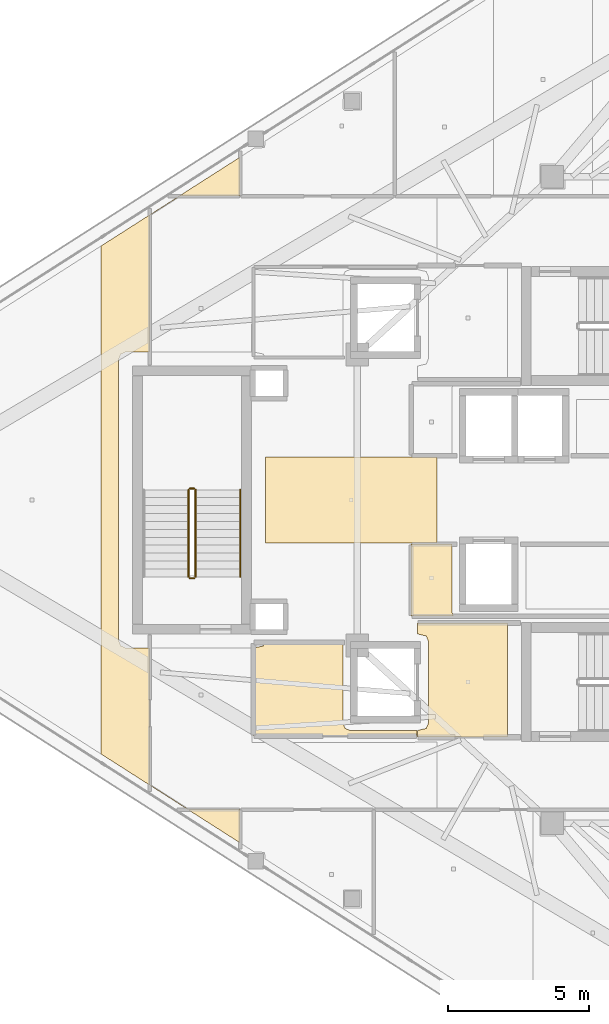
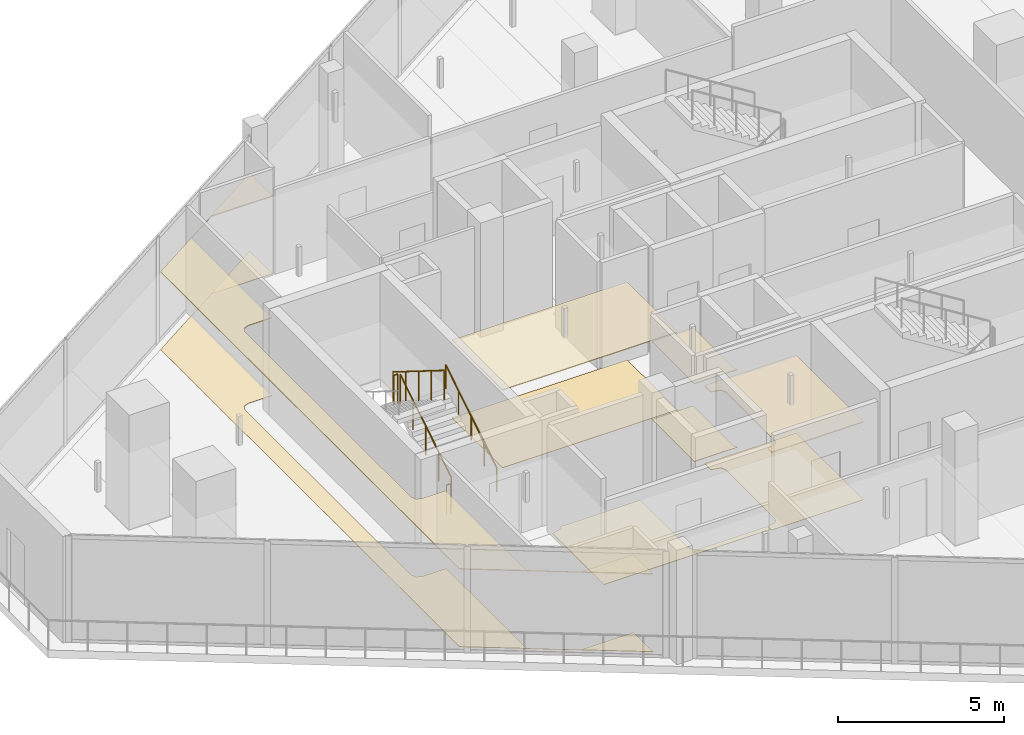
# One storey, part 22 of 25: 9 coverings, 5 railings.
"""IFC4 building model written with IfcOpenShell, lengths in metres."""

import ifcopenshell
import ifcopenshell.guid

model = None  # the IFC model being written
_history = None  # IfcOwnerHistory: only IFC2X3 demands one
_inside = {}  # id of a spatial element -> (the spatial element, [elements in it])
_under = {}  # id of a project, library or spatial element -> (it, [spatial elements below it])
_declared = {}  # id of a project -> (the project, [libraries it declares])
_typed = {}  # id of a type object -> (the type object, [elements of that type])
_made_of = {}  # id of a material, layer set ... -> (it, [elements and type objects made of it])


def new_model(schema):
    """Start an empty IFC model of exactly this schema.

    Asked for "IFC4X3", IfcOpenShell would pick the latest addendum, in which some entities
    have other attributes; the version numbers below select the first issue.
    IFC2X3 requires an IfcOwnerHistory on every rooted entity: one is made here for all.
    """
    global model, _history
    if schema == "IFC4X3":
        model = ifcopenshell.file(schema_version=(4, 3, 0, 0))
    else:
        model = ifcopenshell.file(schema=schema)
    _inside.clear()
    _under.clear()
    _declared.clear()
    _typed.clear()
    _made_of.clear()
    _history = None
    if model.schema == "IFC2X3":
        org = make("IfcOrganization", Name="unknown")
        user = make(
            "IfcPersonAndOrganization",
            ThePerson=make("IfcPerson", FamilyName="unknown"),
            TheOrganization=org,
        )
        app = make(
            "IfcApplication",
            ApplicationDeveloper=org,
            Version="unknown",
            ApplicationFullName="unknown",
            ApplicationIdentifier="unknown",
        )
        _history = make(
            "IfcOwnerHistory",
            OwningUser=user,
            OwningApplication=app,
            ChangeAction="ADDED",
            CreationDate=0,
        )
    return model


def make(cls, **values):
    """One entity of the class cls with the attributes given. An attribute that is None is left unset."""
    return model.create_entity(
        cls, **{name: value for name, value in values.items() if value is not None}
    )


def rooted(cls, **values):
    """An entity with a GlobalId (a new one), such as an element, a storey or a relation."""
    return make(cls, GlobalId=ifcopenshell.guid.new(), OwnerHistory=_history, **values)


def si_unit(unit_type, name, prefix=None):
    """IfcSIUnit, for example si_unit("LENGTHUNIT", "METRE", prefix="MILLI")."""
    return make("IfcSIUnit", UnitType=unit_type, Prefix=prefix, Name=name)


def assignment(units):
    """IfcUnitAssignment: the units of a project."""
    return None if units is None else make("IfcUnitAssignment", Units=units)


def point(xyz):
    """IfcCartesianPoint."""
    return None if xyz is None else make("IfcCartesianPoint", Coordinates=xyz)


def direction(xyz):
    """IfcDirection."""
    return None if xyz is None else make("IfcDirection", DirectionRatios=xyz)


def frame(location, z_axis=None, x_axis=None):
    """IfcAxis2Placement3D, a coordinate frame: its origin and axes. An axis left out is left unset."""
    return make(
        "IfcAxis2Placement3D",
        Location=point(location),
        Axis=direction(z_axis),
        RefDirection=direction(x_axis),
    )


def frame_2d(location, x_axis=None):
    """IfcAxis2Placement2D, a coordinate frame in the plane: its origin and x axis."""
    return make(
        "IfcAxis2Placement2D", Location=point(location), RefDirection=direction(x_axis)
    )


def origin():
    """The frame at (0, 0, 0) with its axes left unset."""
    return frame((0.0, 0.0, 0.0))


def origin_2d():
    """The frame at (0, 0) in the plane with its x axis left unset."""
    return frame_2d((0.0, 0.0))


def place(relative_to, where):
    """IfcLocalPlacement: puts the frame where relative to a parent placement (None: the world)."""
    return make(
        "IfcLocalPlacement", PlacementRelTo=relative_to, RelativePlacement=where
    )


def context(
    kind, dimensions, precision=None, world=None, true_north=None, identifier=None
):
    """IfcGeometricRepresentationContext, for example the 3D "Model" context."""
    return make(
        "IfcGeometricRepresentationContext",
        ContextIdentifier=identifier,
        ContextType=kind,
        CoordinateSpaceDimension=dimensions,
        Precision=precision,
        WorldCoordinateSystem=world,
        TrueNorth=true_north,
    )


def subcontext(parent, identifier, kind, view, scale=None):
    """IfcGeometricRepresentationSubContext, for example "Body" below "Model"."""
    return make(
        "IfcGeometricRepresentationSubContext",
        ContextIdentifier=identifier,
        ContextType=kind,
        ParentContext=parent,
        TargetScale=scale,
        TargetView=view,
    )


def project(units=None, contexts=None):
    """IfcProject with its units and contexts."""
    return rooted(
        "IfcProject",
        Name="project",
        RepresentationContexts=contexts,
        UnitsInContext=assignment(units),
    )


def spatial(cls, under=None, at=None, **own):
    """A site, building, storey or space (cls), placed at a placement, below another one or the project."""
    s = rooted(cls, ObjectPlacement=at, **own)
    if under is not None:
        _under.setdefault(under.id(), (under, []))[1].append(s)
    return s


def polyline(points):
    """IfcPolyline through the points."""
    return make("IfcPolyline", Points=[point(p) for p in points])


def profile(cls, at=None, kind="AREA", **sizes):
    """A parametric profile (cls). Its sizes go by their IFC names, for example OverallWidth=200.0."""
    return make(cls, ProfileType=kind, Position=at, **sizes)


def circle(**sizes):
    """IfcCircleProfileDef."""
    return profile("IfcCircleProfileDef", **sizes)


def outline(outer, holes=None, kind="AREA"):
    """IfcArbitraryClosedProfileDef: a profile drawn as a closed curve; with holes, ...WithVoids."""
    if holes is None:
        return make("IfcArbitraryClosedProfileDef", ProfileType=kind, OuterCurve=outer)
    return make(
        "IfcArbitraryProfileDefWithVoids",
        ProfileType=kind,
        OuterCurve=outer,
        InnerCurves=holes,
    )


def extrude(swept, where, along, depth):
    """IfcExtrudedAreaSolid: the profile swept, set in the frame where, extruded along a direction by depth."""
    return make(
        "IfcExtrudedAreaSolid",
        SweptArea=swept,
        Position=where,
        ExtrudedDirection=direction(along),
        Depth=depth,
    )


def shape(context_of_items, identifier, shape_type, items):
    """IfcShapeRepresentation: the items that make up one representation, for example the "Body"."""
    return make(
        "IfcShapeRepresentation",
        ContextOfItems=context_of_items,
        RepresentationIdentifier=identifier,
        RepresentationType=shape_type,
        Items=items,
    )


def material(Name=None, Category=None):
    """IfcMaterial."""
    return make("IfcMaterial", Name=Name, Category=Category)


def layer(
    of_material, thickness, ventilated=None, Name=None, Category=None, Priority=None
):
    """IfcMaterialLayer: one layer of a wall or slab, of a material (None: an air gap)."""
    return make(
        "IfcMaterialLayer",
        Material=of_material,
        LayerThickness=thickness,
        IsVentilated=ventilated,
        Name=Name,
        Category=Category,
        Priority=Priority,
    )


def layer_set(layers, Name=None):
    """IfcMaterialLayerSet."""
    return make("IfcMaterialLayerSet", MaterialLayers=layers, LayerSetName=Name)


def made_of(thing, what):
    """Note that an element or type object is made of a material, layer set ...; save() writes the relation."""
    if what is not None:
        _made_of.setdefault(what.id(), (what, []))[1].append(thing)
    return thing


def type_object(cls, material=None, **own):
    """A type object (cls), such as IfcWallType, which elements share."""
    return made_of(rooted(cls, **own), material)


def element(
    cls,
    number,
    at=None,
    inside=None,
    cuts=None,
    type_object=None,
    material=None,
    context=None,
    identifier="Body",
    shape_type=None,
    held_by="IfcProductDefinitionShape",
    body=None,
    shapes=None,
    **own,
):
    """One element of the class cls, such as IfcWall. Its Tag is "e" and its number.

    at: its placement. inside: the storey or other place that contains it. cuts: it is an
    opening in that element (IfcRelVoidsElement). A single representation is given by context,
    identifier, shape_type and body (its items); several are given by shapes. held_by: the class
    of the entity that holds the representations. save() writes the other relations.
    """
    e = rooted(cls, Tag="e%d" % number, ObjectPlacement=at, **own)
    if body is not None:
        shapes = [shape(context, identifier, shape_type, body)]
    if shapes is not None:
        e.Representation = make(held_by, Representations=shapes)
    if inside is not None:
        _inside.setdefault(inside.id(), (inside, []))[1].append(e)
    if cuts is not None:
        rooted(
            "IfcRelVoidsElement", RelatingBuildingElement=cuts, RelatedOpeningElement=e
        )
    if type_object is not None:
        _typed.setdefault(type_object.id(), (type_object, []))[1].append(e)
    return made_of(e, material)


def aggregate(whole, parts):
    """IfcRelAggregates: a whole, such as a stair, and the parts it consists of."""
    return rooted("IfcRelAggregates", RelatingObject=whole, RelatedObjects=parts)


def save(model, path):
    """Write the relations noted so far, then the file.

    IfcRelAggregates (storeys below a building ...), IfcRelContainedInSpatialStructure (elements
    in a storey), IfcRelDefinesByType, IfcRelAssociatesMaterial and IfcRelDeclares: one each for
    every whole, place, type object, material and project.
    """
    for whole, parts in _under.values():
        aggregate(whole, parts)
    for where, things in _inside.values():
        rooted(
            "IfcRelContainedInSpatialStructure",
            RelatedElements=things,
            RelatingStructure=where,
        )
    for kind, things in _typed.values():
        rooted("IfcRelDefinesByType", RelatedObjects=things, RelatingType=kind)
    for what, things in _made_of.values():
        rooted("IfcRelAssociatesMaterial", RelatedObjects=things, RelatingMaterial=what)
    for by, libraries in _declared.values():
        rooted("IfcRelDeclares", RelatingContext=by, RelatedDefinitions=libraries)
    model.write(path)


model = new_model("IFC4")

# Units and contexts
model_context = context("Model", 3, precision=1e-05, world=origin(), true_north=direction((0.0, 1.0)))
body_context = subcontext(model_context, "Body", "Model", "MODEL_VIEW")
ifc_project = project(units=[si_unit("LENGTHUNIT", "METRE"), si_unit("AREAUNIT", "SQUARE_METRE"), si_unit("VOLUMEUNIT", "CUBIC_METRE"), si_unit("PLANEANGLEUNIT", "RADIAN"), si_unit("MASSUNIT", "GRAM", prefix="KILO")], contexts=[model_context])

# Site, building, storey
site_placement = place(None, origin())
site = spatial("IfcSite", under=ifc_project, at=site_placement, CompositionType="ELEMENT")
building_placement = place(site_placement, origin())
building = spatial("IfcBuilding", under=site, at=building_placement, Name="Qorvath Tower", CompositionType="ELEMENT")
storey_placement = place(building_placement, frame((0.0, 0.0, 297.60009765625)))
storey = spatial("IfcBuildingStorey", under=building, at=storey_placement, Name="L69", CompositionType="ELEMENT", Elevation=297.60009765625)

# Coverings
ifc_material_1 = material(Name="Acoustic mineral fibre ceiling tile", Category="gypsum")
ifc_layer_1 = layer(ifc_material_1, 0.030029296875)
ifc_layer_set_1 = layer_set([ifc_layer_1], Name="COV-CEIL")
covering_type_1 = type_object("IfcCoveringType", Name="COV-CEIL", PredefinedType="CEILING", material=ifc_layer_set_1)
covering_1_placement = place(storey_placement, frame((0.0, 0.0, 2.849853515625)))
element("IfcCovering", 1, at=covering_1_placement, inside=storey, type_object=covering_type_1, Name="L69 Suspended Acoustic Ceiling 002", PredefinedType="CEILING", context=body_context, shape_type="SweptSolid", body=[
    extrude(outline(polyline([(-25.18994140625, -8.39501953125), (-25.18994140625, -4.35498046875), (-28.375, -4.35498046875), (-28.375, -4.739990234375), (-28.063232421875, -4.813232421875), (-27.989990234375, -4.989990234375), (-27.989990234375, -7.909912109375), (-28.063232421875, -8.086669921875), (-28.375, -8.159912109375), (-28.375, -8.39501953125), (-25.18994140625, -8.39501953125)])), origin(), (0.0, 0.0, 1.0), 0.030029296875),
])
covering_2_placement = place(storey_placement, frame((0.0, 0.0, 2.849853515625)))
element("IfcCovering", 2, at=covering_2_placement, inside=storey, type_object=covering_type_1, Name="L69 Suspended Acoustic Ceiling 006", PredefinedType="CEILING", context=body_context, shape_type="SweptSolid", body=[
    extrude(outline(polyline([(-27.095703125, -4.114990234375), (-27.159912109375, -3.9599609375), (-27.159912109375, -1.56494140625), (-28.594970703125, -1.56494140625), (-28.594970703125, -4.114990234375), (-27.095703125, -4.114990234375)])), origin(), (0.0, 0.0, 1.0), 0.030029296875),
])
covering_3_placement = place(storey_placement, frame((0.0, 0.0, 2.849853515625)))
element("IfcCovering", 3, at=covering_3_placement, inside=storey, type_object=covering_type_1, Name="L69 Suspended Acoustic Ceiling 011", PredefinedType="CEILING", context=body_context, shape_type="SweptSolid", body=[
    extrude(outline(polyline([(-27.67626953125, -1.514892578125), (-27.67626953125, 1.514892578125), (-33.760009765625, 1.514892578125), (-33.760009765625, -1.514892578125), (-27.67626953125, -1.514892578125)])), origin(), (0.0, 0.0, 1.0), 0.030029296875),
])
covering_4_placement = place(storey_placement, frame((0.0, 0.0, 2.849853515625)))
element("IfcCovering", 4, at=covering_4_placement, inside=storey, type_object=covering_type_1, Name="L69 Suspended Acoustic Ceiling 014", PredefinedType="CEILING", context=body_context, shape_type="SweptSolid", body=[
    extrude(outline(polyline([(-34.655029296875, 10.762939453125), (-34.655029296875, 12.137939453125), (-39.569580078125, 8.9970703125), (-39.569580078125, -8.9970703125), (-34.655029296875, -12.137939453125), (-34.655029296875, -10.962890625), (-36.4697265625, -10.962890625), (-37.863037109375, -10.070556640625), (-37.863037109375, -5.239990234375), (-38.699951171875, -5.239990234375), (-38.876708984375, -5.166748046875), (-38.949951171875, -4.989990234375), (-38.949951171875, 4.989990234375), (-38.876708984375, 5.166748046875), (-38.699951171875, 5.239990234375), (-37.863037109375, 5.239990234375), (-37.860595703125, 10.074951171875), (-36.782470703125, 10.762939453125), (-34.655029296875, 10.762939453125)])), origin(), (0.0, 0.0, 1.0), 0.030029296875),
])
ifc_material_2 = material(Name="Low-VOC modular carpet tile", Category="textile")
ifc_layer_2 = layer(ifc_material_2, 0.014892578125)
ifc_layer_set_2 = layer_set([ifc_layer_2], Name="COV-FLOOR-CPT")
covering_type_2 = type_object("IfcCoveringType", Name="COV-FLOOR-CPT", PredefinedType="FLOORING", material=ifc_layer_set_2)
covering_5_placement = place(storey_placement, origin())
element("IfcCovering", 5, at=covering_5_placement, inside=storey, type_object=covering_type_2, Name="L69 Floor Finish 006", PredefinedType="FLOORING", context=body_context, shape_type="SweptSolid", body=[
    extrude(outline(polyline([(-27.095703125, -4.114990234375), (-27.159912109375, -3.9599609375), (-27.159912109375, -1.56494140625), (-28.594970703125, -1.56494140625), (-28.594970703125, -4.114990234375), (-27.095703125, -4.114990234375)])), origin(), (0.0, 0.0, 1.0), 0.014892578125),
])
covering_6_placement = place(storey_placement, origin())
element("IfcCovering", 6, at=covering_6_placement, inside=storey, type_object=covering_type_2, Name="L69 Floor Finish 008", PredefinedType="FLOORING", context=body_context, shape_type="SweptSolid", body=[
    extrude(outline(polyline([(-33.786865234375, -5.054931640625), (-33.833251953125, -5.166748046875), (-34.175048828125, -5.239990234375), (-34.175048828125, -8.344970703125), (-28.39306640625, -8.344970703125), (-28.39306640625, -8.159912109375), (-30.760009765625, -8.159912109375), (-30.936767578125, -8.086669921875), (-31.010009765625, -7.909912109375), (-31.010009765625, -5.054931640625), (-33.786865234375, -5.054931640625)])), origin(), (0.0, 0.0, 1.0), 0.014892578125),
])
covering_7_placement = place(storey_placement, origin())
element("IfcCovering", 7, at=covering_7_placement, inside=storey, type_object=covering_type_2, Name="L69 Floor Finish 014", PredefinedType="FLOORING", context=body_context, shape_type="SweptSolid", body=[
    extrude(outline(polyline([(-34.655029296875, 10.762939453125), (-34.655029296875, 12.137939453125), (-39.569580078125, 8.9970703125), (-39.569580078125, -8.9970703125), (-34.655029296875, -12.137939453125), (-34.655029296875, -10.962890625), (-36.4697265625, -10.962890625), (-37.863037109375, -10.070556640625), (-37.863037109375, -5.239990234375), (-38.699951171875, -5.239990234375), (-38.876708984375, -5.166748046875), (-38.949951171875, -4.989990234375), (-38.949951171875, 4.989990234375), (-38.876708984375, 5.166748046875), (-38.699951171875, 5.239990234375), (-37.863037109375, 5.239990234375), (-37.860595703125, 10.074951171875), (-36.782470703125, 10.762939453125), (-34.655029296875, 10.762939453125)])), origin(), (0.0, 0.0, 1.0), 0.014892578125),
])
ifc_material_3 = material(Name="Polished epoxy terrazzo flooring", Category="concrete")
ifc_layer_3 = layer(ifc_material_3, 0.02001953125)
ifc_layer_set_3 = layer_set([ifc_layer_3], Name="COV-FLOOR-TRZ")
covering_type_3 = type_object("IfcCoveringType", Name="COV-FLOOR-TRZ", PredefinedType="FLOORING", material=ifc_layer_set_3)
covering_8_placement = place(storey_placement, origin())
element("IfcCovering", 8, at=covering_8_placement, inside=storey, type_object=covering_type_3, Name="L69 Floor Finish 002", PredefinedType="FLOORING", context=body_context, shape_type="SweptSolid", body=[
    extrude(outline(polyline([(-25.18994140625, -8.39501953125), (-25.18994140625, -4.35498046875), (-28.375, -4.35498046875), (-28.375, -4.739990234375), (-28.063232421875, -4.813232421875), (-27.989990234375, -4.989990234375), (-27.989990234375, -7.909912109375), (-28.063232421875, -8.086669921875), (-28.375, -8.159912109375), (-28.375, -8.39501953125), (-25.18994140625, -8.39501953125)])), origin(), (0.0, 0.0, 1.0), 0.014892578125),
])
covering_9_placement = place(storey_placement, origin())
element("IfcCovering", 9, at=covering_9_placement, inside=storey, type_object=covering_type_3, Name="L69 Floor Finish 011", PredefinedType="FLOORING", context=body_context, shape_type="SweptSolid", body=[
    extrude(outline(polyline([(-27.67626953125, -1.514892578125), (-27.67626953125, 1.514892578125), (-33.760009765625, 1.514892578125), (-33.760009765625, -1.514892578125), (-27.67626953125, -1.514892578125)])), origin(), (0.0, 0.0, 1.0), 0.014892578125),
])

# Railings
ifc_material_4 = material(Name="Painted galvanised steel", Category="steel")
railing_type_1 = type_object("IfcRailingType", Name="RL-STR-GRD", PredefinedType="GUARDRAIL", material=ifc_material_4)
railing_1_placement = place(storey_placement, frame((-36.22998046875, -2.719970703125, 0.1748046875)))
element("IfcRailing", 10, at=railing_1_placement, inside=storey, type_object=railing_type_1, Name="L69 TS3 stair guard 1", PredefinedType="GUARDRAIL", context=body_context, shape_type="SweptSolid", body=[
    extrude(circle(Radius=0.02392578125, at=origin_2d()), frame((0.0, 0.0, 1.076171875), z_axis=(0.0, 0.847998304005, 0.529998940003), x_axis=(-1.0, 0.0, 0.0)), (0.0, 0.0, 1.0), 3.632080078125),
    extrude(circle(Radius=0.02099609375, at=origin_2d()), origin(), (0.0, 0.0, 1.0), 1.052001953125),
    extrude(circle(Radius=0.02099609375, at=origin_2d()), frame((0.0, 0.77001953125, 0.481201171875)), (0.0, 0.0, 1.0), 1.052001953125),
    extrude(circle(Radius=0.02099609375, at=origin_2d()), frame((0.0, 1.5400390625, 0.96240234375)), (0.0, 0.0, 1.0), 1.052001953125),
    extrude(circle(Radius=0.02099609375, at=origin_2d()), frame((0.0, 2.31005859375, 1.44384765625)), (0.0, 0.0, 1.0), 1.052001953125),
    extrude(circle(Radius=0.02099609375, at=origin_2d()), frame((0.0, 3.080078125, 1.925048828125)), (0.0, 0.0, 1.0), 1.052001953125),
])
railing_2_placement = place(storey_placement, frame((-36.280029296875, 0.409912109375, 2.099853515625)))
element("IfcRailing", 11, at=railing_2_placement, inside=storey, type_object=railing_type_1, Name="L69 TS3 stair guard 2", PredefinedType="GUARDRAIL", context=body_context, shape_type="SweptSolid", body=[
    extrude(circle(Radius=0.02392578125, at=origin_2d()), frame((0.0, 0.0, 1.076171875), z_axis=(-1.0, 0.0, 0.0), x_axis=(0.0, -1.0, 0.0)), (0.0, 0.0, 1.0), 0.14990234375),
    extrude(circle(Radius=0.02099609375, at=origin_2d()), origin(), (0.0, 0.0, 1.0), 1.052001953125),
    extrude(circle(Radius=0.02099609375, at=origin_2d()), frame((-0.14990234375, 0.0, 0.0)), (0.0, 0.0, 1.0), 1.052001953125),
])
railing_3_placement = place(storey_placement, frame((-36.47998046875, 0.360107421875, 2.27490234375)))
element("IfcRailing", 12, at=railing_3_placement, inside=storey, type_object=railing_type_1, Name="L69 TS3 stair guard 3", PredefinedType="GUARDRAIL", context=body_context, shape_type="SweptSolid", body=[
    extrude(circle(Radius=0.02392578125, at=origin_2d()), frame((0.0, 0.0, 1.076171875), z_axis=(0.0, -0.847998304005, 0.529998940003), x_axis=(1.0, 0.0, 0.0)), (0.0, 0.0, 1.0), 3.632080078125),
    extrude(circle(Radius=0.02099609375, at=origin_2d()), origin(), (0.0, 0.0, 1.0), 1.052001953125),
    extrude(circle(Radius=0.02099609375, at=origin_2d()), frame((0.0, -0.77001953125, 0.481201171875)), (0.0, 0.0, 1.0), 1.052001953125),
    extrude(circle(Radius=0.02099609375, at=origin_2d()), frame((0.0, -1.5400390625, 0.96240234375)), (0.0, 0.0, 1.0), 1.052001953125),
    extrude(circle(Radius=0.02099609375, at=origin_2d()), frame((0.0, -2.31005859375, 1.44384765625)), (0.0, 0.0, 1.0), 1.052001953125),
    extrude(circle(Radius=0.02099609375, at=origin_2d()), frame((0.0, -3.080078125, 1.925048828125)), (0.0, 0.0, 1.0), 1.052001953125),
])
railing_4_placement = place(storey_placement, frame((-36.280029296875, -2.77001953125, 0.0)))
element("IfcRailing", 13, at=railing_4_placement, inside=storey, type_object=railing_type_1, Name="L69 TS3 stair guard 4", PredefinedType="GUARDRAIL", context=body_context, shape_type="SweptSolid", body=[
    extrude(circle(Radius=0.02392578125, at=origin_2d()), frame((0.0, 0.0, 1.076171875), z_axis=(-1.0, 0.0, 0.0), x_axis=(0.0, -1.0, 0.0)), (0.0, 0.0, 1.0), 0.14990234375),
    extrude(circle(Radius=0.02099609375, at=origin_2d()), origin(), (0.0, 0.0, 1.0), 1.052001953125),
    extrude(circle(Radius=0.02099609375, at=origin_2d()), frame((-0.14990234375, 0.0, 0.0)), (0.0, 0.0, 1.0), 1.052001953125),
])
ifc_material_5 = material(Name="Brushed stainless steel AISI 304", Category="steel")
railing_type_2 = type_object("IfcRailingType", Name="RL-STR-HND", PredefinedType="HANDRAIL", material=ifc_material_5)
railing_5_placement = place(storey_placement, frame((-34.64990234375, -2.719970703125, 0.1748046875)))
element("IfcRailing", 14, at=railing_5_placement, inside=storey, type_object=railing_type_2, Name="L69 TS3 stair handrail 1", PredefinedType="HANDRAIL", context=body_context, shape_type="SweptSolid", body=[
    extrude(circle(Radius=0.02392578125, at=origin_2d()), frame((0.0, 0.0, 0.8759765625), z_axis=(0.0, 0.847998304005, 0.529998940003), x_axis=(-1.0, 0.0, 0.0)), (0.0, 0.0, 1.0), 3.632080078125),
    extrude(circle(Radius=0.02099609375, at=origin_2d()), origin(), (0.0, 0.0, 1.0), 0.851806640625),
    extrude(circle(Radius=0.02099609375, at=origin_2d()), frame((0.0, 0.77001953125, 0.481201171875)), (0.0, 0.0, 1.0), 0.851806640625),
    extrude(circle(Radius=0.02099609375, at=origin_2d()), frame((0.0, 1.5400390625, 0.96240234375)), (0.0, 0.0, 1.0), 0.851806640625),
    extrude(circle(Radius=0.02099609375, at=origin_2d()), frame((0.0, 2.31005859375, 1.44384765625)), (0.0, 0.0, 1.0), 0.851806640625),
    extrude(circle(Radius=0.02099609375, at=origin_2d()), frame((0.0, 3.080078125, 1.925048828125)), (0.0, 0.0, 1.0), 0.851806640625),
])

save(model, "model.ifc")
